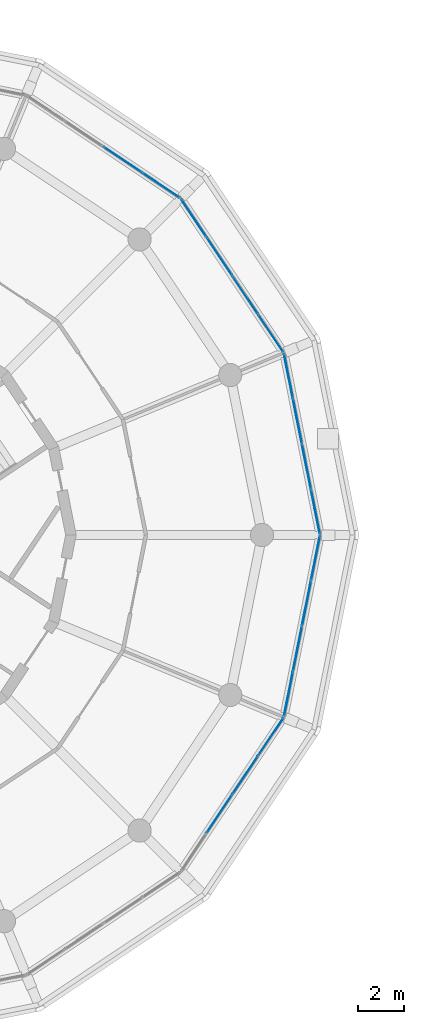
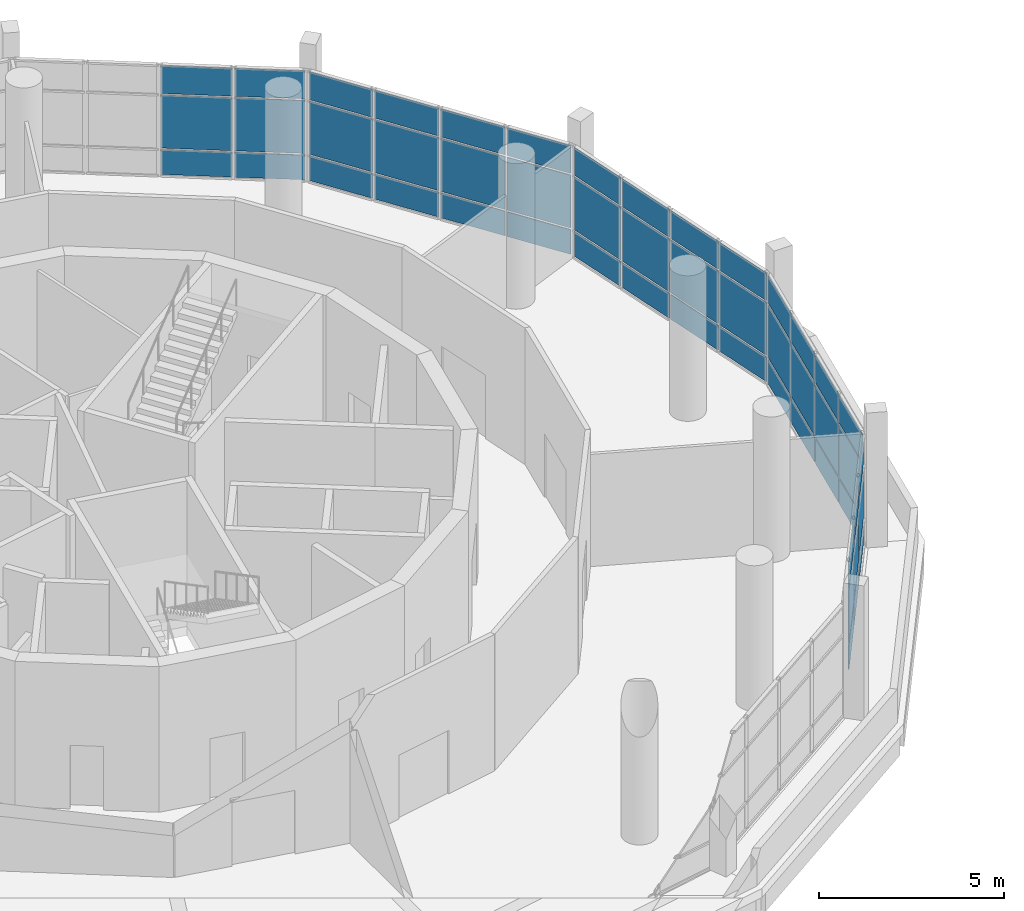
# One storey, part 20 of 40: 51 plates, 5 elements without a shape of their own.
"""IFC4 building model written with IfcOpenShell, lengths in metres."""

from ifc_helpers import new_model, si_unit, direction, frame, origin, origin_2d, place, context, subcontext, project, spatial, rectangle, extrude, material, layer, layer_set, type_object, element, aggregate, save


model = new_model("IFC4")

# Units and contexts
model_context = context("Model", 3, precision=1e-05, world=origin(), true_north=direction((0.0, 1.0)))
body_context = subcontext(model_context, "Body", "Model", "MODEL_VIEW")
ifc_project = project(units=[si_unit("LENGTHUNIT", "METRE"), si_unit("AREAUNIT", "SQUARE_METRE"), si_unit("VOLUMEUNIT", "CUBIC_METRE"), si_unit("PLANEANGLEUNIT", "RADIAN"), si_unit("MASSUNIT", "GRAM", prefix="KILO")], contexts=[model_context])

# Site, building, storey
site_placement = place(None, origin())
site = spatial("IfcSite", under=ifc_project, at=site_placement, CompositionType="ELEMENT")
building_placement = place(site_placement, origin())
building = spatial("IfcBuilding", under=site, at=building_placement, Name="Ceibo Conservatory and Research Tower", CompositionType="ELEMENT")
storey_placement = place(building_placement, frame((0.0, 0.0, 6.0)))
storey = spatial("IfcBuildingStorey", under=building, at=storey_placement, Name="L01", CompositionType="ELEMENT", Elevation=6.0)

# Curtain wall, plates
ifc_material_1 = material(Name="Aluminium and glass", Category="aluminium")
curtain_wall_type = type_object("IfcCurtainWallType", Name="Curtain wall CW1", PredefinedType="NOTDEFINED", material=ifc_material_1)
curtain_wall_1_placement = place(storey_placement, origin())
curtain_wall_1 = element("IfcCurtainWall", 1, at=curtain_wall_1_placement, inside=storey, type_object=curtain_wall_type, Name="CW-01.01", PredefinedType="NOTDEFINED")
ifc_material_2 = material(Name="Glass", Category="glass")
ifc_layer = layer(ifc_material_2, 0.028076171875)
ifc_layer_set = layer_set([ifc_layer], Name="Glass")
plate_type = type_object("IfcPlateType", Name="Insulated glass panel 28", PredefinedType="CURTAIN_PANEL", material=ifc_layer_set)
plate_1_placement = place(storey_placement, frame((68.302001953125, 120.995361328125, 0.06005859375), z_axis=(0.0, 0.0, 1.0), x_axis=(-0.195090380799, 0.980785268711, 0.0)))
plate_1 = element("IfcPlate", 2, at=plate_1_placement, type_object=plate_type, Name="CW-01.01 panel 1.1", PredefinedType="CURTAIN_PANEL", context=body_context, shape_type="SweptSolid", body=[
    extrude(rectangle(XDim=1.90966796875, YDim=0.028076171875, at=origin_2d()), origin(), (0.0, 0.0, 1.0), 0.81005859375),
])
plate_2_placement = place(storey_placement, frame((68.302001953125, 120.995361328125, 0.93017578125), z_axis=(0.0, 0.0, 1.0), x_axis=(-0.195090380799, 0.980785268711, 0.0)))
plate_2 = element("IfcPlate", 3, at=plate_2_placement, type_object=plate_type, Name="CW-01.01 panel 1.2", PredefinedType="CURTAIN_PANEL", context=body_context, shape_type="SweptSolid", body=[
    extrude(rectangle(XDim=1.90966796875, YDim=0.028076171875, at=origin_2d()), origin(), (0.0, 0.0, 1.0), 1.739990234375),
])
plate_3_placement = place(storey_placement, frame((68.302001953125, 120.995361328125, 2.72998046875), z_axis=(0.0, 0.0, 1.0), x_axis=(-0.195090380799, 0.980785268711, 0.0)))
plate_3 = element("IfcPlate", 4, at=plate_3_placement, type_object=plate_type, Name="CW-01.01 panel 1.3", PredefinedType="CURTAIN_PANEL", context=body_context, shape_type="SweptSolid", body=[
    extrude(rectangle(XDim=1.90966796875, YDim=0.028076171875, at=origin_2d()), origin(), (0.0, 0.0, 1.0), 0.909912109375),
])
plate_4_placement = place(storey_placement, frame((67.914794921875, 122.94189453125, 0.06005859375), z_axis=(0.0, 0.0, 1.0), x_axis=(-0.195090380799, 0.980785268711, 0.0)))
plate_4 = element("IfcPlate", 5, at=plate_4_placement, type_object=plate_type, Name="CW-01.01 panel 2.1", PredefinedType="CURTAIN_PANEL", context=body_context, shape_type="SweptSolid", body=[
    extrude(rectangle(XDim=1.939697265625, YDim=0.028076171875, at=origin_2d()), origin(), (0.0, 0.0, 1.0), 0.81005859375),
])
plate_5_placement = place(storey_placement, frame((67.914794921875, 122.94189453125, 0.93017578125), z_axis=(0.0, 0.0, 1.0), x_axis=(-0.195090380799, 0.980785268711, 0.0)))
plate_5 = element("IfcPlate", 6, at=plate_5_placement, type_object=plate_type, Name="CW-01.01 panel 2.2", PredefinedType="CURTAIN_PANEL", context=body_context, shape_type="SweptSolid", body=[
    extrude(rectangle(XDim=1.939697265625, YDim=0.028076171875, at=origin_2d()), origin(), (0.0, 0.0, 1.0), 1.739990234375),
])
plate_6_placement = place(storey_placement, frame((67.914794921875, 122.94189453125, 2.72998046875), z_axis=(0.0, 0.0, 1.0), x_axis=(-0.195090380799, 0.980785268711, 0.0)))
plate_6 = element("IfcPlate", 7, at=plate_6_placement, type_object=plate_type, Name="CW-01.01 panel 2.3", PredefinedType="CURTAIN_PANEL", context=body_context, shape_type="SweptSolid", body=[
    extrude(rectangle(XDim=1.939697265625, YDim=0.028076171875, at=origin_2d()), origin(), (0.0, 0.0, 1.0), 0.909912109375),
])
plate_7_placement = place(storey_placement, frame((67.524658203125, 124.903076171875, 0.06005859375), z_axis=(0.0, 0.0, 1.0), x_axis=(-0.195090380799, 0.980785268711, 0.0)))
plate_7 = element("IfcPlate", 8, at=plate_7_placement, type_object=plate_type, Name="CW-01.01 panel 3.1", PredefinedType="CURTAIN_PANEL", context=body_context, shape_type="SweptSolid", body=[
    extrude(rectangle(XDim=1.939697265625, YDim=0.028076171875, at=origin_2d()), origin(), (0.0, 0.0, 1.0), 0.81005859375),
])
plate_8_placement = place(storey_placement, frame((67.524658203125, 124.903076171875, 0.93017578125), z_axis=(0.0, 0.0, 1.0), x_axis=(-0.195090380799, 0.980785268711, 0.0)))
plate_8 = element("IfcPlate", 9, at=plate_8_placement, type_object=plate_type, Name="CW-01.01 panel 3.2", PredefinedType="CURTAIN_PANEL", context=body_context, shape_type="SweptSolid", body=[
    extrude(rectangle(XDim=1.939697265625, YDim=0.028076171875, at=origin_2d()), origin(), (0.0, 0.0, 1.0), 1.739990234375),
])
plate_9_placement = place(storey_placement, frame((67.524658203125, 124.903076171875, 2.72998046875), z_axis=(0.0, 0.0, 1.0), x_axis=(-0.195090380799, 0.980785268711, 0.0)))
plate_9 = element("IfcPlate", 10, at=plate_9_placement, type_object=plate_type, Name="CW-01.01 panel 3.3", PredefinedType="CURTAIN_PANEL", context=body_context, shape_type="SweptSolid", body=[
    extrude(rectangle(XDim=1.939697265625, YDim=0.028076171875, at=origin_2d()), origin(), (0.0, 0.0, 1.0), 0.909912109375),
])
plate_10_placement = place(storey_placement, frame((67.137451171875, 126.849609375, 0.06005859375), z_axis=(0.0, 0.0, 1.0), x_axis=(-0.195090380799, 0.980785268711, 0.0)))
plate_10 = element("IfcPlate", 11, at=plate_10_placement, type_object=plate_type, Name="CW-01.01 panel 4.1", PredefinedType="CURTAIN_PANEL", context=body_context, shape_type="SweptSolid", body=[
    extrude(rectangle(XDim=1.90966796875, YDim=0.028076171875, at=origin_2d()), origin(), (0.0, 0.0, 1.0), 0.81005859375),
])
plate_11_placement = place(storey_placement, frame((67.137451171875, 126.849609375, 0.93017578125), z_axis=(0.0, 0.0, 1.0), x_axis=(-0.195090380799, 0.980785268711, 0.0)))
plate_11 = element("IfcPlate", 12, at=plate_11_placement, type_object=plate_type, Name="CW-01.01 panel 4.2", PredefinedType="CURTAIN_PANEL", context=body_context, shape_type="SweptSolid", body=[
    extrude(rectangle(XDim=1.90966796875, YDim=0.028076171875, at=origin_2d()), origin(), (0.0, 0.0, 1.0), 1.739990234375),
])
plate_12_placement = place(storey_placement, frame((67.137451171875, 126.849609375, 2.72998046875), z_axis=(0.0, 0.0, 1.0), x_axis=(-0.195090380799, 0.980785268711, 0.0)))
plate_12 = element("IfcPlate", 13, at=plate_12_placement, type_object=plate_type, Name="CW-01.01 panel 4.3", PredefinedType="CURTAIN_PANEL", context=body_context, shape_type="SweptSolid", body=[
    extrude(rectangle(XDim=1.90966796875, YDim=0.028076171875, at=origin_2d()), origin(), (0.0, 0.0, 1.0), 0.909912109375),
])
aggregate(curtain_wall_1, [plate_1, plate_2, plate_3, plate_4, plate_5, plate_6, plate_7, plate_8, plate_9, plate_10, plate_11, plate_12])

curtain_wall_2_placement = place(storey_placement, origin())
curtain_wall_2 = element("IfcCurtainWall", 14, at=curtain_wall_2_placement, inside=storey, type_object=curtain_wall_type, Name="CW-01.02", PredefinedType="NOTDEFINED")
plate_13_placement = place(storey_placement, frame((66.375732421875, 128.688720703125, 0.06005859375), z_axis=(0.0, 0.0, 1.0), x_axis=(-0.555570178092, 0.831469649004, 0.0)))
plate_13 = element("IfcPlate", 15, at=plate_13_placement, type_object=plate_type, Name="CW-01.02 panel 1.1", PredefinedType="CURTAIN_PANEL", context=body_context, shape_type="SweptSolid", body=[
    extrude(rectangle(XDim=1.90966796875, YDim=0.028076171875, at=origin_2d()), origin(), (0.0, 0.0, 1.0), 0.81005859375),
])
plate_14_placement = place(storey_placement, frame((66.375732421875, 128.688720703125, 0.93017578125), z_axis=(0.0, 0.0, 1.0), x_axis=(-0.555570178092, 0.831469649004, 0.0)))
plate_14 = element("IfcPlate", 16, at=plate_14_placement, type_object=plate_type, Name="CW-01.02 panel 1.2", PredefinedType="CURTAIN_PANEL", context=body_context, shape_type="SweptSolid", body=[
    extrude(rectangle(XDim=1.90966796875, YDim=0.028076171875, at=origin_2d()), origin(), (0.0, 0.0, 1.0), 1.739990234375),
])
plate_15_placement = place(storey_placement, frame((66.375732421875, 128.688720703125, 2.72998046875), z_axis=(0.0, 0.0, 1.0), x_axis=(-0.555570178092, 0.831469649004, 0.0)))
plate_15 = element("IfcPlate", 17, at=plate_15_placement, type_object=plate_type, Name="CW-01.02 panel 1.3", PredefinedType="CURTAIN_PANEL", context=body_context, shape_type="SweptSolid", body=[
    extrude(rectangle(XDim=1.90966796875, YDim=0.028076171875, at=origin_2d()), origin(), (0.0, 0.0, 1.0), 0.909912109375),
])
plate_16_placement = place(storey_placement, frame((65.273193359375, 130.339111328125, 0.06005859375), z_axis=(0.0, 0.0, 1.0), x_axis=(-0.555570178092, 0.831469649004, 0.0)))
plate_16 = element("IfcPlate", 18, at=plate_16_placement, type_object=plate_type, Name="CW-01.02 panel 2.1", PredefinedType="CURTAIN_PANEL", context=body_context, shape_type="SweptSolid", body=[
    extrude(rectangle(XDim=1.939697265625, YDim=0.028076171875, at=origin_2d()), origin(), (0.0, 0.0, 1.0), 0.81005859375),
])
plate_17_placement = place(storey_placement, frame((65.273193359375, 130.339111328125, 0.93017578125), z_axis=(0.0, 0.0, 1.0), x_axis=(-0.555570178092, 0.831469649004, 0.0)))
plate_17 = element("IfcPlate", 19, at=plate_17_placement, type_object=plate_type, Name="CW-01.02 panel 2.2", PredefinedType="CURTAIN_PANEL", context=body_context, shape_type="SweptSolid", body=[
    extrude(rectangle(XDim=1.939697265625, YDim=0.028076171875, at=origin_2d()), origin(), (0.0, 0.0, 1.0), 1.739990234375),
])
plate_18_placement = place(storey_placement, frame((65.273193359375, 130.339111328125, 2.72998046875), z_axis=(0.0, 0.0, 1.0), x_axis=(-0.555570178092, 0.831469649004, 0.0)))
plate_18 = element("IfcPlate", 20, at=plate_18_placement, type_object=plate_type, Name="CW-01.02 panel 2.3", PredefinedType="CURTAIN_PANEL", context=body_context, shape_type="SweptSolid", body=[
    extrude(rectangle(XDim=1.939697265625, YDim=0.028076171875, at=origin_2d()), origin(), (0.0, 0.0, 1.0), 0.909912109375),
])
plate_19_placement = place(storey_placement, frame((64.162109375, 132.001708984375, 0.06005859375), z_axis=(0.0, 0.0, 1.0), x_axis=(-0.555570178092, 0.831469649004, 0.0)))
plate_19 = element("IfcPlate", 21, at=plate_19_placement, type_object=plate_type, Name="CW-01.02 panel 3.1", PredefinedType="CURTAIN_PANEL", context=body_context, shape_type="SweptSolid", body=[
    extrude(rectangle(XDim=1.939697265625, YDim=0.028076171875, at=origin_2d()), origin(), (0.0, 0.0, 1.0), 0.81005859375),
])
plate_20_placement = place(storey_placement, frame((64.162109375, 132.001708984375, 0.93017578125), z_axis=(0.0, 0.0, 1.0), x_axis=(-0.555570178092, 0.831469649004, 0.0)))
plate_20 = element("IfcPlate", 22, at=plate_20_placement, type_object=plate_type, Name="CW-01.02 panel 3.2", PredefinedType="CURTAIN_PANEL", context=body_context, shape_type="SweptSolid", body=[
    extrude(rectangle(XDim=1.939697265625, YDim=0.028076171875, at=origin_2d()), origin(), (0.0, 0.0, 1.0), 1.739990234375),
])
plate_21_placement = place(storey_placement, frame((64.162109375, 132.001708984375, 2.72998046875), z_axis=(0.0, 0.0, 1.0), x_axis=(-0.555570178092, 0.831469649004, 0.0)))
plate_21 = element("IfcPlate", 23, at=plate_21_placement, type_object=plate_type, Name="CW-01.02 panel 3.3", PredefinedType="CURTAIN_PANEL", context=body_context, shape_type="SweptSolid", body=[
    extrude(rectangle(XDim=1.939697265625, YDim=0.028076171875, at=origin_2d()), origin(), (0.0, 0.0, 1.0), 0.909912109375),
])
plate_22_placement = place(storey_placement, frame((63.0595703125, 133.65185546875, 0.06005859375), z_axis=(0.0, 0.0, 1.0), x_axis=(-0.555570178092, 0.831469649004, 0.0)))
plate_22 = element("IfcPlate", 24, at=plate_22_placement, type_object=plate_type, Name="CW-01.02 panel 4.1", PredefinedType="CURTAIN_PANEL", context=body_context, shape_type="SweptSolid", body=[
    extrude(rectangle(XDim=1.90966796875, YDim=0.028076171875, at=origin_2d()), origin(), (0.0, 0.0, 1.0), 0.81005859375),
])
plate_23_placement = place(storey_placement, frame((63.0595703125, 133.65185546875, 0.93017578125), z_axis=(0.0, 0.0, 1.0), x_axis=(-0.555570178092, 0.831469649004, 0.0)))
plate_23 = element("IfcPlate", 25, at=plate_23_placement, type_object=plate_type, Name="CW-01.02 panel 4.2", PredefinedType="CURTAIN_PANEL", context=body_context, shape_type="SweptSolid", body=[
    extrude(rectangle(XDim=1.90966796875, YDim=0.028076171875, at=origin_2d()), origin(), (0.0, 0.0, 1.0), 1.739990234375),
])
plate_24_placement = place(storey_placement, frame((63.0595703125, 133.65185546875, 2.72998046875), z_axis=(0.0, 0.0, 1.0), x_axis=(-0.555570178092, 0.831469649004, 0.0)))
plate_24 = element("IfcPlate", 26, at=plate_24_placement, type_object=plate_type, Name="CW-01.02 panel 4.3", PredefinedType="CURTAIN_PANEL", context=body_context, shape_type="SweptSolid", body=[
    extrude(rectangle(XDim=1.90966796875, YDim=0.028076171875, at=origin_2d()), origin(), (0.0, 0.0, 1.0), 0.909912109375),
])
aggregate(curtain_wall_2, [plate_13, plate_14, plate_15, plate_16, plate_17, plate_18, plate_19, plate_20, plate_21, plate_22, plate_23, plate_24])

curtain_wall_3_placement = place(storey_placement, origin())
curtain_wall_3 = element("IfcCurtainWall", 27, at=curtain_wall_3_placement, inside=storey, type_object=curtain_wall_type, Name="CW-01.03", PredefinedType="NOTDEFINED")
plate_25_placement = place(storey_placement, frame((61.65185546875, 135.0595703125, 0.06005859375), z_axis=(0.0, 0.0, 1.0), x_axis=(-0.831469649004, 0.555570178092, 0.0)))
plate_25 = element("IfcPlate", 28, at=plate_25_placement, type_object=plate_type, Name="CW-01.03 panel 1.1", PredefinedType="CURTAIN_PANEL", context=body_context, shape_type="SweptSolid", body=[
    extrude(rectangle(XDim=1.90966796875, YDim=0.028076171875, at=origin_2d()), origin(), (0.0, 0.0, 1.0), 0.81005859375),
])
plate_26_placement = place(storey_placement, frame((61.65185546875, 135.0595703125, 0.93017578125), z_axis=(0.0, 0.0, 1.0), x_axis=(-0.831469649004, 0.555570178092, 0.0)))
plate_26 = element("IfcPlate", 29, at=plate_26_placement, type_object=plate_type, Name="CW-01.03 panel 1.2", PredefinedType="CURTAIN_PANEL", context=body_context, shape_type="SweptSolid", body=[
    extrude(rectangle(XDim=1.90966796875, YDim=0.028076171875, at=origin_2d()), origin(), (0.0, 0.0, 1.0), 1.739990234375),
])
plate_27_placement = place(storey_placement, frame((61.65185546875, 135.0595703125, 2.72998046875), z_axis=(0.0, 0.0, 1.0), x_axis=(-0.831469649004, 0.555570178092, 0.0)))
plate_27 = element("IfcPlate", 30, at=plate_27_placement, type_object=plate_type, Name="CW-01.03 panel 1.3", PredefinedType="CURTAIN_PANEL", context=body_context, shape_type="SweptSolid", body=[
    extrude(rectangle(XDim=1.90966796875, YDim=0.028076171875, at=origin_2d()), origin(), (0.0, 0.0, 1.0), 0.909912109375),
])
plate_28_placement = place(storey_placement, frame((60.001708984375, 136.162109375, 0.06005859375), z_axis=(0.0, 0.0, 1.0), x_axis=(-0.831469649004, 0.555570178092, 0.0)))
plate_28 = element("IfcPlate", 31, at=plate_28_placement, type_object=plate_type, Name="CW-01.03 panel 2.1", PredefinedType="CURTAIN_PANEL", context=body_context, shape_type="SweptSolid", body=[
    extrude(rectangle(XDim=1.939697265625, YDim=0.028076171875, at=origin_2d()), origin(), (0.0, 0.0, 1.0), 0.81005859375),
])
plate_29_placement = place(storey_placement, frame((60.001708984375, 136.162109375, 0.93017578125), z_axis=(0.0, 0.0, 1.0), x_axis=(-0.831469649004, 0.555570178092, 0.0)))
plate_29 = element("IfcPlate", 32, at=plate_29_placement, type_object=plate_type, Name="CW-01.03 panel 2.2", PredefinedType="CURTAIN_PANEL", context=body_context, shape_type="SweptSolid", body=[
    extrude(rectangle(XDim=1.939697265625, YDim=0.028076171875, at=origin_2d()), origin(), (0.0, 0.0, 1.0), 1.739990234375),
])
plate_30_placement = place(storey_placement, frame((60.001708984375, 136.162109375, 2.72998046875), z_axis=(0.0, 0.0, 1.0), x_axis=(-0.831469649004, 0.555570178092, 0.0)))
plate_30 = element("IfcPlate", 33, at=plate_30_placement, type_object=plate_type, Name="CW-01.03 panel 2.3", PredefinedType="CURTAIN_PANEL", context=body_context, shape_type="SweptSolid", body=[
    extrude(rectangle(XDim=1.939697265625, YDim=0.028076171875, at=origin_2d()), origin(), (0.0, 0.0, 1.0), 0.909912109375),
])
aggregate(curtain_wall_3, [plate_25, plate_26, plate_27, plate_28, plate_29, plate_30])

curtain_wall_4_placement = place(storey_placement, origin())
curtain_wall_4 = element("IfcCurtainWall", 34, at=curtain_wall_4_placement, inside=storey, type_object=curtain_wall_type, Name="CW-01.15", PredefinedType="NOTDEFINED")
plate_31_placement = place(storey_placement, frame((64.162109375, 107.998291015625, 0.06005859375), z_axis=(0.0, 0.0, 1.0), x_axis=(0.555570178092, 0.831469649004, 0.0)))
plate_31 = element("IfcPlate", 35, at=plate_31_placement, type_object=plate_type, Name="CW-01.15 panel 2.1", PredefinedType="CURTAIN_PANEL", context=body_context, shape_type="SweptSolid", body=[
    extrude(rectangle(XDim=1.939697265625, YDim=0.028076171875, at=origin_2d()), origin(), (0.0, 0.0, 1.0), 0.81005859375),
])
plate_32_placement = place(storey_placement, frame((64.162109375, 107.998291015625, 0.93017578125), z_axis=(0.0, 0.0, 1.0), x_axis=(0.555570178092, 0.831469649004, 0.0)))
plate_32 = element("IfcPlate", 36, at=plate_32_placement, type_object=plate_type, Name="CW-01.15 panel 2.2", PredefinedType="CURTAIN_PANEL", context=body_context, shape_type="SweptSolid", body=[
    extrude(rectangle(XDim=1.939697265625, YDim=0.028076171875, at=origin_2d()), origin(), (0.0, 0.0, 1.0), 1.739990234375),
])
plate_33_placement = place(storey_placement, frame((64.162109375, 107.998291015625, 2.72998046875), z_axis=(0.0, 0.0, 1.0), x_axis=(0.555570178092, 0.831469649004, 0.0)))
plate_33 = element("IfcPlate", 37, at=plate_33_placement, type_object=plate_type, Name="CW-01.15 panel 2.3", PredefinedType="CURTAIN_PANEL", context=body_context, shape_type="SweptSolid", body=[
    extrude(rectangle(XDim=1.939697265625, YDim=0.028076171875, at=origin_2d()), origin(), (0.0, 0.0, 1.0), 0.909912109375),
])
plate_34_placement = place(storey_placement, frame((65.273193359375, 109.660888671875, 0.06005859375), z_axis=(0.0, 0.0, 1.0), x_axis=(0.555570178092, 0.831469649004, 0.0)))
plate_34 = element("IfcPlate", 38, at=plate_34_placement, type_object=plate_type, Name="CW-01.15 panel 3.1", PredefinedType="CURTAIN_PANEL", context=body_context, shape_type="SweptSolid", body=[
    extrude(rectangle(XDim=1.939697265625, YDim=0.028076171875, at=origin_2d()), origin(), (0.0, 0.0, 1.0), 0.81005859375),
])
plate_35_placement = place(storey_placement, frame((65.273193359375, 109.660888671875, 0.93017578125), z_axis=(0.0, 0.0, 1.0), x_axis=(0.555570178092, 0.831469649004, 0.0)))
plate_35 = element("IfcPlate", 39, at=plate_35_placement, type_object=plate_type, Name="CW-01.15 panel 3.2", PredefinedType="CURTAIN_PANEL", context=body_context, shape_type="SweptSolid", body=[
    extrude(rectangle(XDim=1.939697265625, YDim=0.028076171875, at=origin_2d()), origin(), (0.0, 0.0, 1.0), 1.739990234375),
])
plate_36_placement = place(storey_placement, frame((65.273193359375, 109.660888671875, 2.72998046875), z_axis=(0.0, 0.0, 1.0), x_axis=(0.555570178092, 0.831469649004, 0.0)))
plate_36 = element("IfcPlate", 40, at=plate_36_placement, type_object=plate_type, Name="CW-01.15 panel 3.3", PredefinedType="CURTAIN_PANEL", context=body_context, shape_type="SweptSolid", body=[
    extrude(rectangle(XDim=1.939697265625, YDim=0.028076171875, at=origin_2d()), origin(), (0.0, 0.0, 1.0), 0.909912109375),
])
plate_37_placement = place(storey_placement, frame((66.375732421875, 111.311279296875, 0.06005859375), z_axis=(0.0, 0.0, 1.0), x_axis=(0.555570178092, 0.831469649004, 0.0)))
plate_37 = element("IfcPlate", 41, at=plate_37_placement, type_object=plate_type, Name="CW-01.15 panel 4.1", PredefinedType="CURTAIN_PANEL", context=body_context, shape_type="SweptSolid", body=[
    extrude(rectangle(XDim=1.90966796875, YDim=0.028076171875, at=origin_2d()), origin(), (0.0, 0.0, 1.0), 0.81005859375),
])
plate_38_placement = place(storey_placement, frame((66.375732421875, 111.311279296875, 0.93017578125), z_axis=(0.0, 0.0, 1.0), x_axis=(0.555570178092, 0.831469649004, 0.0)))
plate_38 = element("IfcPlate", 42, at=plate_38_placement, type_object=plate_type, Name="CW-01.15 panel 4.2", PredefinedType="CURTAIN_PANEL", context=body_context, shape_type="SweptSolid", body=[
    extrude(rectangle(XDim=1.90966796875, YDim=0.028076171875, at=origin_2d()), origin(), (0.0, 0.0, 1.0), 1.739990234375),
])
plate_39_placement = place(storey_placement, frame((66.375732421875, 111.311279296875, 2.72998046875), z_axis=(0.0, 0.0, 1.0), x_axis=(0.555570178092, 0.831469649004, 0.0)))
plate_39 = element("IfcPlate", 43, at=plate_39_placement, type_object=plate_type, Name="CW-01.15 panel 4.3", PredefinedType="CURTAIN_PANEL", context=body_context, shape_type="SweptSolid", body=[
    extrude(rectangle(XDim=1.90966796875, YDim=0.028076171875, at=origin_2d()), origin(), (0.0, 0.0, 1.0), 0.909912109375),
])
aggregate(curtain_wall_4, [plate_31, plate_32, plate_33, plate_34, plate_35, plate_36, plate_37, plate_38, plate_39])

curtain_wall_5_placement = place(storey_placement, origin())
curtain_wall_5 = element("IfcCurtainWall", 44, at=curtain_wall_5_placement, inside=storey, type_object=curtain_wall_type, Name="CW-01.16", PredefinedType="NOTDEFINED")
plate_40_placement = place(storey_placement, frame((67.137451171875, 113.150390625, 0.06005859375), z_axis=(0.0, 0.0, 1.0), x_axis=(0.195090380799, 0.980785268711, 0.0)))
plate_40 = element("IfcPlate", 45, at=plate_40_placement, type_object=plate_type, Name="CW-01.16 panel 1.1", PredefinedType="CURTAIN_PANEL", context=body_context, shape_type="SweptSolid", body=[
    extrude(rectangle(XDim=1.90966796875, YDim=0.028076171875, at=origin_2d()), origin(), (0.0, 0.0, 1.0), 0.81005859375),
])
plate_41_placement = place(storey_placement, frame((67.137451171875, 113.150390625, 0.93017578125), z_axis=(0.0, 0.0, 1.0), x_axis=(0.195090380799, 0.980785268711, 0.0)))
plate_41 = element("IfcPlate", 46, at=plate_41_placement, type_object=plate_type, Name="CW-01.16 panel 1.2", PredefinedType="CURTAIN_PANEL", context=body_context, shape_type="SweptSolid", body=[
    extrude(rectangle(XDim=1.90966796875, YDim=0.028076171875, at=origin_2d()), origin(), (0.0, 0.0, 1.0), 1.739990234375),
])
plate_42_placement = place(storey_placement, frame((67.137451171875, 113.150390625, 2.72998046875), z_axis=(0.0, 0.0, 1.0), x_axis=(0.195090380799, 0.980785268711, 0.0)))
plate_42 = element("IfcPlate", 47, at=plate_42_placement, type_object=plate_type, Name="CW-01.16 panel 1.3", PredefinedType="CURTAIN_PANEL", context=body_context, shape_type="SweptSolid", body=[
    extrude(rectangle(XDim=1.90966796875, YDim=0.028076171875, at=origin_2d()), origin(), (0.0, 0.0, 1.0), 0.909912109375),
])
plate_43_placement = place(storey_placement, frame((67.524658203125, 115.096923828125, 0.06005859375), z_axis=(0.0, 0.0, 1.0), x_axis=(0.195090380799, 0.980785268711, 0.0)))
plate_43 = element("IfcPlate", 48, at=plate_43_placement, type_object=plate_type, Name="CW-01.16 panel 2.1", PredefinedType="CURTAIN_PANEL", context=body_context, shape_type="SweptSolid", body=[
    extrude(rectangle(XDim=1.939697265625, YDim=0.028076171875, at=origin_2d()), origin(), (0.0, 0.0, 1.0), 0.81005859375),
])
plate_44_placement = place(storey_placement, frame((67.524658203125, 115.096923828125, 0.93017578125), z_axis=(0.0, 0.0, 1.0), x_axis=(0.195090380799, 0.980785268711, 0.0)))
plate_44 = element("IfcPlate", 49, at=plate_44_placement, type_object=plate_type, Name="CW-01.16 panel 2.2", PredefinedType="CURTAIN_PANEL", context=body_context, shape_type="SweptSolid", body=[
    extrude(rectangle(XDim=1.939697265625, YDim=0.028076171875, at=origin_2d()), origin(), (0.0, 0.0, 1.0), 1.739990234375),
])
plate_45_placement = place(storey_placement, frame((67.524658203125, 115.096923828125, 2.72998046875), z_axis=(0.0, 0.0, 1.0), x_axis=(0.195090380799, 0.980785268711, 0.0)))
plate_45 = element("IfcPlate", 50, at=plate_45_placement, type_object=plate_type, Name="CW-01.16 panel 2.3", PredefinedType="CURTAIN_PANEL", context=body_context, shape_type="SweptSolid", body=[
    extrude(rectangle(XDim=1.939697265625, YDim=0.028076171875, at=origin_2d()), origin(), (0.0, 0.0, 1.0), 0.909912109375),
])
plate_46_placement = place(storey_placement, frame((67.914794921875, 117.05810546875, 0.06005859375), z_axis=(0.0, 0.0, 1.0), x_axis=(0.195090380799, 0.980785268711, 0.0)))
plate_46 = element("IfcPlate", 51, at=plate_46_placement, type_object=plate_type, Name="CW-01.16 panel 3.1", PredefinedType="CURTAIN_PANEL", context=body_context, shape_type="SweptSolid", body=[
    extrude(rectangle(XDim=1.939697265625, YDim=0.028076171875, at=origin_2d()), origin(), (0.0, 0.0, 1.0), 0.81005859375),
])
plate_47_placement = place(storey_placement, frame((67.914794921875, 117.05810546875, 0.93017578125), z_axis=(0.0, 0.0, 1.0), x_axis=(0.195090380799, 0.980785268711, 0.0)))
plate_47 = element("IfcPlate", 52, at=plate_47_placement, type_object=plate_type, Name="CW-01.16 panel 3.2", PredefinedType="CURTAIN_PANEL", context=body_context, shape_type="SweptSolid", body=[
    extrude(rectangle(XDim=1.939697265625, YDim=0.028076171875, at=origin_2d()), origin(), (0.0, 0.0, 1.0), 1.739990234375),
])
plate_48_placement = place(storey_placement, frame((67.914794921875, 117.05810546875, 2.72998046875), z_axis=(0.0, 0.0, 1.0), x_axis=(0.195090380799, 0.980785268711, 0.0)))
plate_48 = element("IfcPlate", 53, at=plate_48_placement, type_object=plate_type, Name="CW-01.16 panel 3.3", PredefinedType="CURTAIN_PANEL", context=body_context, shape_type="SweptSolid", body=[
    extrude(rectangle(XDim=1.939697265625, YDim=0.028076171875, at=origin_2d()), origin(), (0.0, 0.0, 1.0), 0.909912109375),
])
plate_49_placement = place(storey_placement, frame((68.302001953125, 119.004638671875, 0.06005859375), z_axis=(0.0, 0.0, 1.0), x_axis=(0.195090380799, 0.980785268711, 0.0)))
plate_49 = element("IfcPlate", 54, at=plate_49_placement, type_object=plate_type, Name="CW-01.16 panel 4.1", PredefinedType="CURTAIN_PANEL", context=body_context, shape_type="SweptSolid", body=[
    extrude(rectangle(XDim=1.90966796875, YDim=0.028076171875, at=origin_2d()), origin(), (0.0, 0.0, 1.0), 0.81005859375),
])
plate_50_placement = place(storey_placement, frame((68.302001953125, 119.004638671875, 0.93017578125), z_axis=(0.0, 0.0, 1.0), x_axis=(0.195090380799, 0.980785268711, 0.0)))
plate_50 = element("IfcPlate", 55, at=plate_50_placement, type_object=plate_type, Name="CW-01.16 panel 4.2", PredefinedType="CURTAIN_PANEL", context=body_context, shape_type="SweptSolid", body=[
    extrude(rectangle(XDim=1.90966796875, YDim=0.028076171875, at=origin_2d()), origin(), (0.0, 0.0, 1.0), 1.739990234375),
])
plate_51_placement = place(storey_placement, frame((68.302001953125, 119.004638671875, 2.72998046875), z_axis=(0.0, 0.0, 1.0), x_axis=(0.195090380799, 0.980785268711, 0.0)))
plate_51 = element("IfcPlate", 56, at=plate_51_placement, type_object=plate_type, Name="CW-01.16 panel 4.3", PredefinedType="CURTAIN_PANEL", context=body_context, shape_type="SweptSolid", body=[
    extrude(rectangle(XDim=1.90966796875, YDim=0.028076171875, at=origin_2d()), origin(), (0.0, 0.0, 1.0), 0.909912109375),
])
aggregate(curtain_wall_5, [plate_40, plate_41, plate_42, plate_43, plate_44, plate_45, plate_46, plate_47, plate_48, plate_49, plate_50, plate_51])

save(model, "model.ifc")
